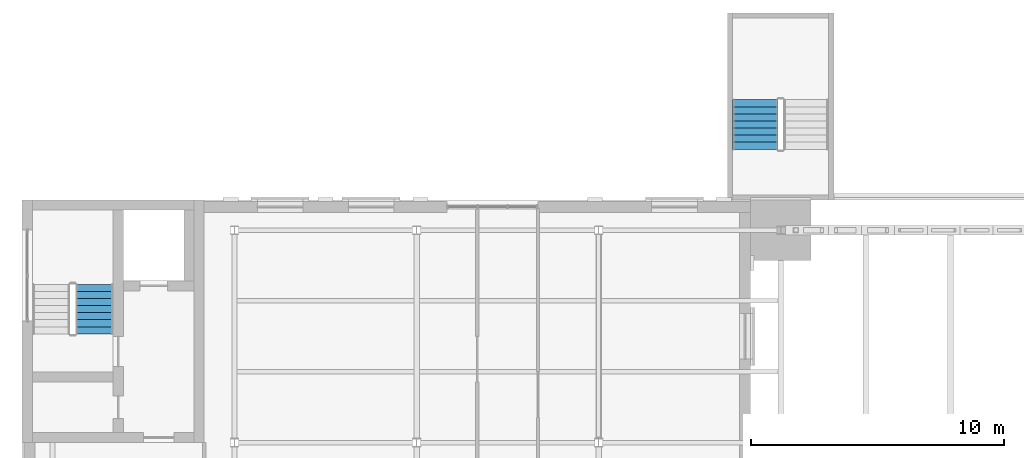
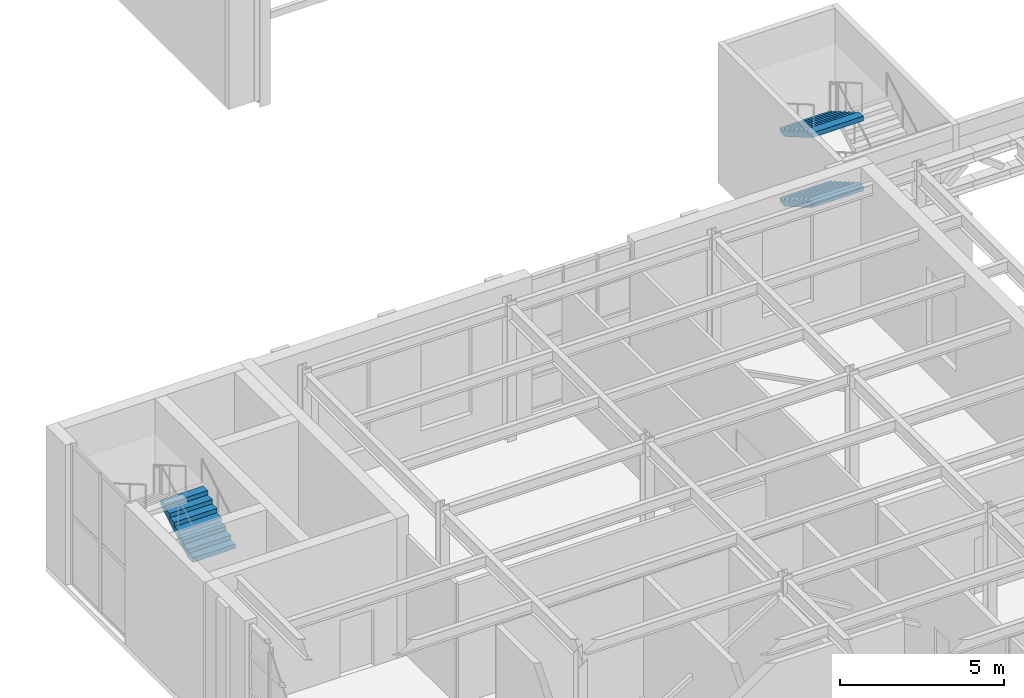
# One storey, part 71 of 93: 3 stair flights, 2 elements without a shape of their own.
"""IFC4 building model written with IfcOpenShell, lengths in metres."""

from ifc_helpers import new_model, si_unit, direction, frame, origin, place, context, subcontext, project, spatial, polygons, material, type_object, element, aggregate, save


model = new_model("IFC4")

# Units and contexts
model_context = context("Model", 3, precision=1e-05, world=origin(), true_north=direction((0.0, 1.0)))
body_context = subcontext(model_context, "Body", "Model", "MODEL_VIEW")
ifc_project = project(units=[si_unit("LENGTHUNIT", "METRE"), si_unit("AREAUNIT", "SQUARE_METRE"), si_unit("VOLUMEUNIT", "CUBIC_METRE"), si_unit("PLANEANGLEUNIT", "RADIAN"), si_unit("MASSUNIT", "GRAM", prefix="KILO")], contexts=[model_context])

# Site, building, storey
site_placement = place(None, origin())
site = spatial("IfcSite", under=ifc_project, at=site_placement, CompositionType="ELEMENT")
building_placement = place(site_placement, origin())
building = spatial("IfcBuilding", under=site, at=building_placement, Name="Verrick Yard Athletic Hall", CompositionType="ELEMENT")
storey_placement = place(building_placement, frame((0.0, 0.0, 8.800048828125)))
storey = spatial("IfcBuildingStorey", under=building, at=storey_placement, Name="L02", CompositionType="ELEMENT", Elevation=8.800048828125)

# Stair, stair flight
ifc_material = material(Name="Concrete 35 MPa", Category="concrete")
stair_type_1 = type_object("IfcStairType", Name="Stair ST2 1500 wide 32 risers", PredefinedType="HALF_TURN_STAIR", material=ifc_material)
stair_1_placement = place(storey_placement, origin())
stair_1 = element("IfcStair", 1, at=stair_1_placement, inside=storey, type_object=stair_type_1, Name="Wing north-west stair L02", PredefinedType="HALF_TURN_STAIR")
stair_flight_type_1 = type_object("IfcStairFlightType", Name="Stair flight SF2 1500 wide 8 risers", PredefinedType="STRAIGHT", material=ifc_material)
stair_flight_1_placement = place(storey_placement, frame((12.85009765625, 48.699951171875, 2.599853515625), z_axis=(0.0, 0.0, 1.0), x_axis=(0.0, 1.0, 0.0)))
stair_flight_1 = element("IfcStairFlight", 2, at=stair_flight_1_placement, type_object=stair_flight_type_1, Name="ST2 flight 3", NumberOfRisers=8, NumberOfTreads=7, PredefinedType="STRAIGHT", RiserHeight=0.1625, TreadLength=0.28, context=body_context, shape_type="Tessellation", body=[
    polygons([(0.2986404620805121, -0.75, 0.0), (1.9600000000000002, -0.75, 0.9641818746854172), (1.9600000000000002, -0.75, 1.1375), (1.6800000000000002, -0.75, 1.1375), (1.6800000000000002, -0.75, 0.9750000000000001), (1.4000000000000001, -0.75, 0.9750000000000001), (1.4000000000000001, -0.75, 0.8125), (1.12, -0.75, 0.8125), (1.12, -0.75, 0.65), (0.8400000000000001, -0.75, 0.65), (0.8400000000000001, -0.75, 0.48750000000000004), (0.56, -0.75, 0.48750000000000004), (0.56, -0.75, 0.325), (0.28, -0.75, 0.325), (0.28, -0.75, 0.1625), (0.0, -0.75, 0.1625), (0.0, -0.75, 0.0), (0.2986404620805121, -0.14990234375, 0.0), (1.9600000000000002, -0.14990234375, 0.9641818746854172), (1.9600000000000002, -0.14990234375, 1.1375), (1.6800000000000002, -0.14990234375, 1.1375), (1.6800000000000002, -0.14990234375, 0.9750000000000001), (1.4000000000000001, -0.14990234375, 0.9750000000000001), (1.4000000000000001, -0.14990234375, 0.8125), (1.12, -0.14990234375, 0.8125), (1.12, -0.14990234375, 0.65), (0.8400000000000001, -0.14990234375, 0.65), (0.8400000000000001, -0.14990234375, 0.48750000000000004), (0.56, -0.14990234375, 0.48750000000000004), (0.56, -0.14990234375, 0.325), (0.28, -0.14990234375, 0.325), (0.28, -0.14990234375, 0.1625), (0.0, -0.14990234375, 0.1625), (0.0, -0.14990234375, 0.0), (0.2986404620805121, -0.050048828125, 0.0), (1.9600000000000002, -0.050048828125, 0.9641818746854172), (1.9600000000000002, -0.050048828125, 1.1375), (1.6800000000000002, -0.050048828125, 1.1375), (1.6800000000000002, -0.050048828125, 0.9750000000000001), (1.4000000000000001, -0.050048828125, 0.9750000000000001), (1.4000000000000001, -0.050048828125, 0.8125), (1.12, -0.050048828125, 0.8125), (1.12, -0.050048828125, 0.65), (0.8400000000000001, -0.050048828125, 0.65), (0.8400000000000001, -0.050048828125, 0.48750000000000004), (0.56, -0.050048828125, 0.48750000000000004), (0.56, -0.050048828125, 0.325), (0.28, -0.050048828125, 0.325), (0.28, -0.050048828125, 0.1625), (0.0, -0.050048828125, 0.1625), (0.0, -0.050048828125, 0.0), (0.2986404620805121, 0.050048828125, 0.0), (1.9600000000000002, 0.050048828125, 0.9641818746854172), (1.9600000000000002, 0.050048828125, 1.1375), (1.6800000000000002, 0.050048828125, 1.1375), (1.6800000000000002, 0.050048828125, 0.9750000000000001), (1.4000000000000001, 0.050048828125, 0.9750000000000001), (1.4000000000000001, 0.050048828125, 0.8125), (1.12, 0.050048828125, 0.8125), (1.12, 0.050048828125, 0.65), (0.8400000000000001, 0.050048828125, 0.65), (0.8400000000000001, 0.050048828125, 0.48750000000000004), (0.56, 0.050048828125, 0.48750000000000004), (0.56, 0.050048828125, 0.325), (0.28, 0.050048828125, 0.325), (0.28, 0.050048828125, 0.1625), (0.0, 0.050048828125, 0.1625), (0.0, 0.050048828125, 0.0), (0.2986404620805121, 0.14990234375, 0.0), (1.9600000000000002, 0.14990234375, 0.9641818746854172), (1.9600000000000002, 0.14990234375, 1.1375), (1.6800000000000002, 0.14990234375, 1.1375), (1.6800000000000002, 0.14990234375, 0.9750000000000001), (1.4000000000000001, 0.14990234375, 0.9750000000000001), (1.4000000000000001, 0.14990234375, 0.8125), (1.12, 0.14990234375, 0.8125), (1.12, 0.14990234375, 0.65), (0.8400000000000001, 0.14990234375, 0.65), (0.8400000000000001, 0.14990234375, 0.48750000000000004), (0.56, 0.14990234375, 0.48750000000000004), (0.56, 0.14990234375, 0.325), (0.28, 0.14990234375, 0.325), (0.28, 0.14990234375, 0.1625), (0.0, 0.14990234375, 0.1625), (0.0, 0.14990234375, 0.0), (0.2986404620805121, 0.75, 0.0), (1.9600000000000002, 0.75, 0.9641818746854172), (1.9600000000000002, 0.75, 1.1375), (1.6800000000000002, 0.75, 1.1375), (1.6800000000000002, 0.75, 0.9750000000000001), (1.4000000000000001, 0.75, 0.9750000000000001), (1.4000000000000001, 0.75, 0.8125), (1.12, 0.75, 0.8125), (1.12, 0.75, 0.65), (0.8400000000000001, 0.75, 0.65), (0.8400000000000001, 0.75, 0.48750000000000004), (0.56, 0.75, 0.48750000000000004), (0.56, 0.75, 0.325), (0.28, 0.75, 0.325), (0.28, 0.75, 0.1625), (0.0, 0.75, 0.1625), (0.0, 0.75, 0.0)], [[[1, 2, 3, 4, 5, 6, 7, 8, 9, 10, 11, 12, 13, 14, 15, 16, 17]], [[102, 101, 100, 99, 98, 97, 96, 95, 94, 93, 92, 91, 90, 89, 88, 87, 86]], [[1, 18, 19, 2]], [[2, 19, 20, 3]], [[3, 20, 21, 4]], [[4, 21, 22, 5]], [[5, 22, 23, 6]], [[6, 23, 24, 7]], [[7, 24, 25, 8]], [[8, 25, 26, 9]], [[9, 26, 27, 10]], [[10, 27, 28, 11]], [[11, 28, 29, 12]], [[12, 29, 30, 13]], [[13, 30, 31, 14]], [[14, 31, 32, 15]], [[15, 32, 33, 16]], [[16, 33, 34, 17]], [[17, 34, 18, 1]], [[18, 35, 36, 19]], [[19, 36, 37, 20]], [[20, 37, 38, 21]], [[21, 38, 39, 22]], [[22, 39, 40, 23]], [[23, 40, 41, 24]], [[24, 41, 42, 25]], [[25, 42, 43, 26]], [[26, 43, 44, 27]], [[27, 44, 45, 28]], [[28, 45, 46, 29]], [[29, 46, 47, 30]], [[30, 47, 48, 31]], [[31, 48, 49, 32]], [[32, 49, 50, 33]], [[33, 50, 51, 34]], [[34, 51, 35, 18]], [[35, 52, 53, 36]], [[36, 53, 54, 37]], [[37, 54, 55, 38]], [[38, 55, 56, 39]], [[39, 56, 57, 40]], [[40, 57, 58, 41]], [[41, 58, 59, 42]], [[42, 59, 60, 43]], [[43, 60, 61, 44]], [[44, 61, 62, 45]], [[45, 62, 63, 46]], [[46, 63, 64, 47]], [[47, 64, 65, 48]], [[48, 65, 66, 49]], [[49, 66, 67, 50]], [[50, 67, 68, 51]], [[51, 68, 52, 35]], [[52, 69, 70, 53]], [[53, 70, 71, 54]], [[54, 71, 72, 55]], [[55, 72, 73, 56]], [[56, 73, 74, 57]], [[57, 74, 75, 58]], [[58, 75, 76, 59]], [[59, 76, 77, 60]], [[60, 77, 78, 61]], [[61, 78, 79, 62]], [[62, 79, 80, 63]], [[63, 80, 81, 64]], [[64, 81, 82, 65]], [[65, 82, 83, 66]], [[66, 83, 84, 67]], [[67, 84, 85, 68]], [[68, 85, 69, 52]], [[69, 86, 87, 70]], [[70, 87, 88, 71]], [[71, 88, 89, 72]], [[72, 89, 90, 73]], [[73, 90, 91, 74]], [[74, 91, 92, 75]], [[75, 92, 93, 76]], [[76, 93, 94, 77]], [[77, 94, 95, 78]], [[78, 95, 96, 79]], [[79, 96, 97, 80]], [[80, 97, 98, 81]], [[81, 98, 99, 82]], [[82, 99, 100, 83]], [[83, 100, 101, 84]], [[84, 101, 102, 85]], [[85, 102, 86, 69]]], closed=True),
])
aggregate(stair_1, [stair_flight_1])

# Stair, stair flights
stair_type_2 = type_object("IfcStairType", Name="Stair ST4 1800 wide 32 risers", PredefinedType="HALF_TURN_STAIR", material=ifc_material)
stair_2_placement = place(storey_placement, origin())
stair_2 = element("IfcStair", 3, at=stair_2_placement, inside=storey, type_object=stair_type_2, Name="North deck escape 1 stair L02", PredefinedType="HALF_TURN_STAIR")
stair_flight_type_2 = type_object("IfcStairFlightType", Name="Stair flight SF4 1800 wide 8 risers", PredefinedType="STRAIGHT", material=ifc_material)
stair_flight_2_placement = place(storey_placement, frame((39.0, 57.9599609375, 1.300048828125), z_axis=(0.0, 0.0, 1.0), x_axis=(0.0, -1.0, 0.0)))
stair_flight_2 = element("IfcStairFlight", 4, at=stair_flight_2_placement, type_object=stair_flight_type_2, Name="ST4 flight 2", NumberOfRisers=8, NumberOfTreads=7, PredefinedType="STRAIGHT", RiserHeight=0.1625, TreadLength=0.28, context=body_context, shape_type="Tessellation", body=[
    polygons([(0.2986404620805121, -0.89990234375, 0.0), (1.9600000000000002, -0.89990234375, 0.9641818746854172), (1.9600000000000002, -0.89990234375, 1.1375), (1.6800000000000002, -0.89990234375, 1.1375), (1.6800000000000002, -0.89990234375, 0.9750000000000001), (1.4000000000000001, -0.89990234375, 0.9750000000000001), (1.4000000000000001, -0.89990234375, 0.8125), (1.12, -0.89990234375, 0.8125), (1.12, -0.89990234375, 0.65), (0.8400000000000001, -0.89990234375, 0.65), (0.8400000000000001, -0.89990234375, 0.48750000000000004), (0.56, -0.89990234375, 0.48750000000000004), (0.56, -0.89990234375, 0.325), (0.28, -0.89990234375, 0.325), (0.28, -0.89990234375, 0.1625), (0.0, -0.89990234375, 0.1625), (0.0, -0.89990234375, 0.0), (0.2986404620805121, -0.179931640625, 0.0), (1.9600000000000002, -0.179931640625, 0.9641818746854172), (1.9600000000000002, -0.179931640625, 1.1375), (1.6800000000000002, -0.179931640625, 1.1375), (1.6800000000000002, -0.179931640625, 0.9750000000000001), (1.4000000000000001, -0.179931640625, 0.9750000000000001), (1.4000000000000001, -0.179931640625, 0.8125), (1.12, -0.179931640625, 0.8125), (1.12, -0.179931640625, 0.65), (0.8400000000000001, -0.179931640625, 0.65), (0.8400000000000001, -0.179931640625, 0.48750000000000004), (0.56, -0.179931640625, 0.48750000000000004), (0.56, -0.179931640625, 0.325), (0.28, -0.179931640625, 0.325), (0.28, -0.179931640625, 0.1625), (0.0, -0.179931640625, 0.1625), (0.0, -0.179931640625, 0.0), (0.2986404620805121, -0.1201171875, 0.0), (1.9600000000000002, -0.1201171875, 0.9641818746854172), (1.9600000000000002, -0.1201171875, 1.1375), (1.6800000000000002, -0.1201171875, 1.1375), (1.6800000000000002, -0.1201171875, 0.9750000000000001), (1.4000000000000001, -0.1201171875, 0.9750000000000001), (1.4000000000000001, -0.1201171875, 0.8125), (1.12, -0.1201171875, 0.8125), (1.12, -0.1201171875, 0.65), (0.8400000000000001, -0.1201171875, 0.65), (0.8400000000000001, -0.1201171875, 0.48750000000000004), (0.56, -0.1201171875, 0.48750000000000004), (0.56, -0.1201171875, 0.325), (0.28, -0.1201171875, 0.325), (0.28, -0.1201171875, 0.1625), (0.0, -0.1201171875, 0.1625), (0.0, -0.1201171875, 0.0), (0.2986404620805121, -0.06005859375, 0.0), (1.9600000000000002, -0.06005859375, 0.9641818746854172), (1.9600000000000002, -0.06005859375, 1.1375), (1.6800000000000002, -0.06005859375, 1.1375), (1.6800000000000002, -0.06005859375, 0.9750000000000001), (1.4000000000000001, -0.06005859375, 0.9750000000000001), (1.4000000000000001, -0.06005859375, 0.8125), (1.12, -0.06005859375, 0.8125), (1.12, -0.06005859375, 0.65), (0.8400000000000001, -0.06005859375, 0.65), (0.8400000000000001, -0.06005859375, 0.48750000000000004), (0.56, -0.06005859375, 0.48750000000000004), (0.56, -0.06005859375, 0.325), (0.28, -0.06005859375, 0.325), (0.28, -0.06005859375, 0.1625), (0.0, -0.06005859375, 0.1625), (0.0, -0.06005859375, 0.0), (0.2986404620805121, 0.0, 0.0), (1.9600000000000002, 0.0, 0.9641818746854172), (1.9600000000000002, 0.0, 1.1375), (1.6800000000000002, 0.0, 1.1375), (1.6800000000000002, 0.0, 0.9750000000000001), (1.4000000000000001, 0.0, 0.9750000000000001), (1.4000000000000001, 0.0, 0.8125), (1.12, 0.0, 0.8125), (1.12, 0.0, 0.65), (0.8400000000000001, 0.0, 0.65), (0.8400000000000001, 0.0, 0.48750000000000004), (0.56, 0.0, 0.48750000000000004), (0.56, 0.0, 0.325), (0.28, 0.0, 0.325), (0.28, 0.0, 0.1625), (0.0, 0.0, 0.1625), (0.0, 0.0, 0.0), (0.2986404620805121, 0.06005859375, 0.0), (1.9600000000000002, 0.06005859375, 0.9641818746854172), (1.9600000000000002, 0.06005859375, 1.1375), (1.6800000000000002, 0.06005859375, 1.1375), (1.6800000000000002, 0.06005859375, 0.9750000000000001), (1.4000000000000001, 0.06005859375, 0.9750000000000001), (1.4000000000000001, 0.06005859375, 0.8125), (1.12, 0.06005859375, 0.8125), (1.12, 0.06005859375, 0.65), (0.8400000000000001, 0.06005859375, 0.65), (0.8400000000000001, 0.06005859375, 0.48750000000000004), (0.56, 0.06005859375, 0.48750000000000004), (0.56, 0.06005859375, 0.325), (0.28, 0.06005859375, 0.325), (0.28, 0.06005859375, 0.1625), (0.0, 0.06005859375, 0.1625), (0.0, 0.06005859375, 0.0), (0.2986404620805121, 0.1201171875, 0.0), (1.9600000000000002, 0.1201171875, 0.9641818746854172), (1.9600000000000002, 0.1201171875, 1.1375), (1.6800000000000002, 0.1201171875, 1.1375), (1.6800000000000002, 0.1201171875, 0.9750000000000001), (1.4000000000000001, 0.1201171875, 0.9750000000000001), (1.4000000000000001, 0.1201171875, 0.8125), (1.12, 0.1201171875, 0.8125), (1.12, 0.1201171875, 0.65), (0.8400000000000001, 0.1201171875, 0.65), (0.8400000000000001, 0.1201171875, 0.48750000000000004), (0.56, 0.1201171875, 0.48750000000000004), (0.56, 0.1201171875, 0.325), (0.28, 0.1201171875, 0.325), (0.28, 0.1201171875, 0.1625), (0.0, 0.1201171875, 0.1625), (0.0, 0.1201171875, 0.0), (0.2986404620805121, 0.179931640625, 0.0), (1.9600000000000002, 0.179931640625, 0.9641818746854172), (1.9600000000000002, 0.179931640625, 1.1375), (1.6800000000000002, 0.179931640625, 1.1375), (1.6800000000000002, 0.179931640625, 0.9750000000000001), (1.4000000000000001, 0.179931640625, 0.9750000000000001), (1.4000000000000001, 0.179931640625, 0.8125), (1.12, 0.179931640625, 0.8125), (1.12, 0.179931640625, 0.65), (0.8400000000000001, 0.179931640625, 0.65), (0.8400000000000001, 0.179931640625, 0.48750000000000004), (0.56, 0.179931640625, 0.48750000000000004), (0.56, 0.179931640625, 0.325), (0.28, 0.179931640625, 0.325), (0.28, 0.179931640625, 0.1625), (0.0, 0.179931640625, 0.1625), (0.0, 0.179931640625, 0.0), (0.2986404620805121, 0.89990234375, 0.0), (1.9600000000000002, 0.89990234375, 0.9641818746854172), (1.9600000000000002, 0.89990234375, 1.1375), (1.6800000000000002, 0.89990234375, 1.1375), (1.6800000000000002, 0.89990234375, 0.9750000000000001), (1.4000000000000001, 0.89990234375, 0.9750000000000001), (1.4000000000000001, 0.89990234375, 0.8125), (1.12, 0.89990234375, 0.8125), (1.12, 0.89990234375, 0.65), (0.8400000000000001, 0.89990234375, 0.65), (0.8400000000000001, 0.89990234375, 0.48750000000000004), (0.56, 0.89990234375, 0.48750000000000004), (0.56, 0.89990234375, 0.325), (0.28, 0.89990234375, 0.325), (0.28, 0.89990234375, 0.1625), (0.0, 0.89990234375, 0.1625), (0.0, 0.89990234375, 0.0)], [[[1, 2, 3, 4, 5, 6, 7, 8, 9, 10, 11, 12, 13, 14, 15, 16, 17]], [[153, 152, 151, 150, 149, 148, 147, 146, 145, 144, 143, 142, 141, 140, 139, 138, 137]], [[1, 18, 19, 2]], [[2, 19, 20, 3]], [[3, 20, 21, 4]], [[4, 21, 22, 5]], [[5, 22, 23, 6]], [[6, 23, 24, 7]], [[7, 24, 25, 8]], [[8, 25, 26, 9]], [[9, 26, 27, 10]], [[10, 27, 28, 11]], [[11, 28, 29, 12]], [[12, 29, 30, 13]], [[13, 30, 31, 14]], [[14, 31, 32, 15]], [[15, 32, 33, 16]], [[16, 33, 34, 17]], [[17, 34, 18, 1]], [[18, 35, 36, 19]], [[19, 36, 37, 20]], [[20, 37, 38, 21]], [[21, 38, 39, 22]], [[22, 39, 40, 23]], [[23, 40, 41, 24]], [[24, 41, 42, 25]], [[25, 42, 43, 26]], [[26, 43, 44, 27]], [[27, 44, 45, 28]], [[28, 45, 46, 29]], [[29, 46, 47, 30]], [[30, 47, 48, 31]], [[31, 48, 49, 32]], [[32, 49, 50, 33]], [[33, 50, 51, 34]], [[34, 51, 35, 18]], [[35, 52, 53, 36]], [[36, 53, 54, 37]], [[37, 54, 55, 38]], [[38, 55, 56, 39]], [[39, 56, 57, 40]], [[40, 57, 58, 41]], [[41, 58, 59, 42]], [[42, 59, 60, 43]], [[43, 60, 61, 44]], [[44, 61, 62, 45]], [[45, 62, 63, 46]], [[46, 63, 64, 47]], [[47, 64, 65, 48]], [[48, 65, 66, 49]], [[49, 66, 67, 50]], [[50, 67, 68, 51]], [[51, 68, 52, 35]], [[52, 69, 70, 53]], [[53, 70, 71, 54]], [[54, 71, 72, 55]], [[55, 72, 73, 56]], [[56, 73, 74, 57]], [[57, 74, 75, 58]], [[58, 75, 76, 59]], [[59, 76, 77, 60]], [[60, 77, 78, 61]], [[61, 78, 79, 62]], [[62, 79, 80, 63]], [[63, 80, 81, 64]], [[64, 81, 82, 65]], [[65, 82, 83, 66]], [[66, 83, 84, 67]], [[67, 84, 85, 68]], [[68, 85, 69, 52]], [[69, 86, 87, 70]], [[70, 87, 88, 71]], [[71, 88, 89, 72]], [[72, 89, 90, 73]], [[73, 90, 91, 74]], [[74, 91, 92, 75]], [[75, 92, 93, 76]], [[76, 93, 94, 77]], [[77, 94, 95, 78]], [[78, 95, 96, 79]], [[79, 96, 97, 80]], [[80, 97, 98, 81]], [[81, 98, 99, 82]], [[82, 99, 100, 83]], [[83, 100, 101, 84]], [[84, 101, 102, 85]], [[85, 102, 86, 69]], [[86, 103, 104, 87]], [[87, 104, 105, 88]], [[88, 105, 106, 89]], [[89, 106, 107, 90]], [[90, 107, 108, 91]], [[91, 108, 109, 92]], [[92, 109, 110, 93]], [[93, 110, 111, 94]], [[94, 111, 112, 95]], [[95, 112, 113, 96]], [[96, 113, 114, 97]], [[97, 114, 115, 98]], [[98, 115, 116, 99]], [[99, 116, 117, 100]], [[100, 117, 118, 101]], [[101, 118, 119, 102]], [[102, 119, 103, 86]], [[103, 120, 121, 104]], [[104, 121, 122, 105]], [[105, 122, 123, 106]], [[106, 123, 124, 107]], [[107, 124, 125, 108]], [[108, 125, 126, 109]], [[109, 126, 127, 110]], [[110, 127, 128, 111]], [[111, 128, 129, 112]], [[112, 129, 130, 113]], [[113, 130, 131, 114]], [[114, 131, 132, 115]], [[115, 132, 133, 116]], [[116, 133, 134, 117]], [[117, 134, 135, 118]], [[118, 135, 136, 119]], [[119, 136, 120, 103]], [[120, 137, 138, 121]], [[121, 138, 139, 122]], [[122, 139, 140, 123]], [[123, 140, 141, 124]], [[124, 141, 142, 125]], [[125, 142, 143, 126]], [[126, 143, 144, 127]], [[127, 144, 145, 128]], [[128, 145, 146, 129]], [[129, 146, 147, 130]], [[130, 147, 148, 131]], [[131, 148, 149, 132]], [[132, 149, 150, 133]], [[133, 150, 151, 134]], [[134, 151, 152, 135]], [[135, 152, 153, 136]], [[136, 153, 137, 120]]], closed=True),
])
stair_flight_3_placement = place(storey_placement, frame((39.0, 57.9599609375, 3.89990234375), z_axis=(0.0, 0.0, 1.0), x_axis=(0.0, -1.0, 0.0)))
stair_flight_3 = element("IfcStairFlight", 5, at=stair_flight_3_placement, type_object=stair_flight_type_2, Name="ST4 flight 4", NumberOfRisers=8, NumberOfTreads=7, PredefinedType="STRAIGHT", RiserHeight=0.1625, TreadLength=0.28, context=body_context, shape_type="Tessellation", body=[
    polygons([(0.2986404620805121, -0.89990234375, 0.0), (1.9600000000000002, -0.89990234375, 0.9641818746854172), (1.9600000000000002, -0.89990234375, 1.1375), (1.6800000000000002, -0.89990234375, 1.1375), (1.6800000000000002, -0.89990234375, 0.9750000000000001), (1.4000000000000001, -0.89990234375, 0.9750000000000001), (1.4000000000000001, -0.89990234375, 0.8125), (1.12, -0.89990234375, 0.8125), (1.12, -0.89990234375, 0.65), (0.8400000000000001, -0.89990234375, 0.65), (0.8400000000000001, -0.89990234375, 0.48750000000000004), (0.56, -0.89990234375, 0.48750000000000004), (0.56, -0.89990234375, 0.325), (0.28, -0.89990234375, 0.325), (0.28, -0.89990234375, 0.1625), (0.0, -0.89990234375, 0.1625), (0.0, -0.89990234375, 0.0), (0.2986404620805121, -0.179931640625, 0.0), (1.9600000000000002, -0.179931640625, 0.9641818746854172), (1.9600000000000002, -0.179931640625, 1.1375), (1.6800000000000002, -0.179931640625, 1.1375), (1.6800000000000002, -0.179931640625, 0.9750000000000001), (1.4000000000000001, -0.179931640625, 0.9750000000000001), (1.4000000000000001, -0.179931640625, 0.8125), (1.12, -0.179931640625, 0.8125), (1.12, -0.179931640625, 0.65), (0.8400000000000001, -0.179931640625, 0.65), (0.8400000000000001, -0.179931640625, 0.48750000000000004), (0.56, -0.179931640625, 0.48750000000000004), (0.56, -0.179931640625, 0.325), (0.28, -0.179931640625, 0.325), (0.28, -0.179931640625, 0.1625), (0.0, -0.179931640625, 0.1625), (0.0, -0.179931640625, 0.0), (0.2986404620805121, -0.1201171875, 0.0), (1.9600000000000002, -0.1201171875, 0.9641818746854172), (1.9600000000000002, -0.1201171875, 1.1375), (1.6800000000000002, -0.1201171875, 1.1375), (1.6800000000000002, -0.1201171875, 0.9750000000000001), (1.4000000000000001, -0.1201171875, 0.9750000000000001), (1.4000000000000001, -0.1201171875, 0.8125), (1.12, -0.1201171875, 0.8125), (1.12, -0.1201171875, 0.65), (0.8400000000000001, -0.1201171875, 0.65), (0.8400000000000001, -0.1201171875, 0.48750000000000004), (0.56, -0.1201171875, 0.48750000000000004), (0.56, -0.1201171875, 0.325), (0.28, -0.1201171875, 0.325), (0.28, -0.1201171875, 0.1625), (0.0, -0.1201171875, 0.1625), (0.0, -0.1201171875, 0.0), (0.2986404620805121, -0.06005859375, 0.0), (1.9600000000000002, -0.06005859375, 0.9641818746854172), (1.9600000000000002, -0.06005859375, 1.1375), (1.6800000000000002, -0.06005859375, 1.1375), (1.6800000000000002, -0.06005859375, 0.9750000000000001), (1.4000000000000001, -0.06005859375, 0.9750000000000001), (1.4000000000000001, -0.06005859375, 0.8125), (1.12, -0.06005859375, 0.8125), (1.12, -0.06005859375, 0.65), (0.8400000000000001, -0.06005859375, 0.65), (0.8400000000000001, -0.06005859375, 0.48750000000000004), (0.56, -0.06005859375, 0.48750000000000004), (0.56, -0.06005859375, 0.325), (0.28, -0.06005859375, 0.325), (0.28, -0.06005859375, 0.1625), (0.0, -0.06005859375, 0.1625), (0.0, -0.06005859375, 0.0), (0.2986404620805121, 0.0, 0.0), (1.9600000000000002, 0.0, 0.9641818746854172), (1.9600000000000002, 0.0, 1.1375), (1.6800000000000002, 0.0, 1.1375), (1.6800000000000002, 0.0, 0.9750000000000001), (1.4000000000000001, 0.0, 0.9750000000000001), (1.4000000000000001, 0.0, 0.8125), (1.12, 0.0, 0.8125), (1.12, 0.0, 0.65), (0.8400000000000001, 0.0, 0.65), (0.8400000000000001, 0.0, 0.48750000000000004), (0.56, 0.0, 0.48750000000000004), (0.56, 0.0, 0.325), (0.28, 0.0, 0.325), (0.28, 0.0, 0.1625), (0.0, 0.0, 0.1625), (0.0, 0.0, 0.0), (0.2986404620805121, 0.06005859375, 0.0), (1.9600000000000002, 0.06005859375, 0.9641818746854172), (1.9600000000000002, 0.06005859375, 1.1375), (1.6800000000000002, 0.06005859375, 1.1375), (1.6800000000000002, 0.06005859375, 0.9750000000000001), (1.4000000000000001, 0.06005859375, 0.9750000000000001), (1.4000000000000001, 0.06005859375, 0.8125), (1.12, 0.06005859375, 0.8125), (1.12, 0.06005859375, 0.65), (0.8400000000000001, 0.06005859375, 0.65), (0.8400000000000001, 0.06005859375, 0.48750000000000004), (0.56, 0.06005859375, 0.48750000000000004), (0.56, 0.06005859375, 0.325), (0.28, 0.06005859375, 0.325), (0.28, 0.06005859375, 0.1625), (0.0, 0.06005859375, 0.1625), (0.0, 0.06005859375, 0.0), (0.2986404620805121, 0.1201171875, 0.0), (1.9600000000000002, 0.1201171875, 0.9641818746854172), (1.9600000000000002, 0.1201171875, 1.1375), (1.6800000000000002, 0.1201171875, 1.1375), (1.6800000000000002, 0.1201171875, 0.9750000000000001), (1.4000000000000001, 0.1201171875, 0.9750000000000001), (1.4000000000000001, 0.1201171875, 0.8125), (1.12, 0.1201171875, 0.8125), (1.12, 0.1201171875, 0.65), (0.8400000000000001, 0.1201171875, 0.65), (0.8400000000000001, 0.1201171875, 0.48750000000000004), (0.56, 0.1201171875, 0.48750000000000004), (0.56, 0.1201171875, 0.325), (0.28, 0.1201171875, 0.325), (0.28, 0.1201171875, 0.1625), (0.0, 0.1201171875, 0.1625), (0.0, 0.1201171875, 0.0), (0.2986404620805121, 0.179931640625, 0.0), (1.9600000000000002, 0.179931640625, 0.9641818746854172), (1.9600000000000002, 0.179931640625, 1.1375), (1.6800000000000002, 0.179931640625, 1.1375), (1.6800000000000002, 0.179931640625, 0.9750000000000001), (1.4000000000000001, 0.179931640625, 0.9750000000000001), (1.4000000000000001, 0.179931640625, 0.8125), (1.12, 0.179931640625, 0.8125), (1.12, 0.179931640625, 0.65), (0.8400000000000001, 0.179931640625, 0.65), (0.8400000000000001, 0.179931640625, 0.48750000000000004), (0.56, 0.179931640625, 0.48750000000000004), (0.56, 0.179931640625, 0.325), (0.28, 0.179931640625, 0.325), (0.28, 0.179931640625, 0.1625), (0.0, 0.179931640625, 0.1625), (0.0, 0.179931640625, 0.0), (0.2986404620805121, 0.89990234375, 0.0), (1.9600000000000002, 0.89990234375, 0.9641818746854172), (1.9600000000000002, 0.89990234375, 1.1375), (1.6800000000000002, 0.89990234375, 1.1375), (1.6800000000000002, 0.89990234375, 0.9750000000000001), (1.4000000000000001, 0.89990234375, 0.9750000000000001), (1.4000000000000001, 0.89990234375, 0.8125), (1.12, 0.89990234375, 0.8125), (1.12, 0.89990234375, 0.65), (0.8400000000000001, 0.89990234375, 0.65), (0.8400000000000001, 0.89990234375, 0.48750000000000004), (0.56, 0.89990234375, 0.48750000000000004), (0.56, 0.89990234375, 0.325), (0.28, 0.89990234375, 0.325), (0.28, 0.89990234375, 0.1625), (0.0, 0.89990234375, 0.1625), (0.0, 0.89990234375, 0.0)], [[[1, 2, 3, 4, 5, 6, 7, 8, 9, 10, 11, 12, 13, 14, 15, 16, 17]], [[153, 152, 151, 150, 149, 148, 147, 146, 145, 144, 143, 142, 141, 140, 139, 138, 137]], [[1, 18, 19, 2]], [[2, 19, 20, 3]], [[3, 20, 21, 4]], [[4, 21, 22, 5]], [[5, 22, 23, 6]], [[6, 23, 24, 7]], [[7, 24, 25, 8]], [[8, 25, 26, 9]], [[9, 26, 27, 10]], [[10, 27, 28, 11]], [[11, 28, 29, 12]], [[12, 29, 30, 13]], [[13, 30, 31, 14]], [[14, 31, 32, 15]], [[15, 32, 33, 16]], [[16, 33, 34, 17]], [[17, 34, 18, 1]], [[18, 35, 36, 19]], [[19, 36, 37, 20]], [[20, 37, 38, 21]], [[21, 38, 39, 22]], [[22, 39, 40, 23]], [[23, 40, 41, 24]], [[24, 41, 42, 25]], [[25, 42, 43, 26]], [[26, 43, 44, 27]], [[27, 44, 45, 28]], [[28, 45, 46, 29]], [[29, 46, 47, 30]], [[30, 47, 48, 31]], [[31, 48, 49, 32]], [[32, 49, 50, 33]], [[33, 50, 51, 34]], [[34, 51, 35, 18]], [[35, 52, 53, 36]], [[36, 53, 54, 37]], [[37, 54, 55, 38]], [[38, 55, 56, 39]], [[39, 56, 57, 40]], [[40, 57, 58, 41]], [[41, 58, 59, 42]], [[42, 59, 60, 43]], [[43, 60, 61, 44]], [[44, 61, 62, 45]], [[45, 62, 63, 46]], [[46, 63, 64, 47]], [[47, 64, 65, 48]], [[48, 65, 66, 49]], [[49, 66, 67, 50]], [[50, 67, 68, 51]], [[51, 68, 52, 35]], [[52, 69, 70, 53]], [[53, 70, 71, 54]], [[54, 71, 72, 55]], [[55, 72, 73, 56]], [[56, 73, 74, 57]], [[57, 74, 75, 58]], [[58, 75, 76, 59]], [[59, 76, 77, 60]], [[60, 77, 78, 61]], [[61, 78, 79, 62]], [[62, 79, 80, 63]], [[63, 80, 81, 64]], [[64, 81, 82, 65]], [[65, 82, 83, 66]], [[66, 83, 84, 67]], [[67, 84, 85, 68]], [[68, 85, 69, 52]], [[69, 86, 87, 70]], [[70, 87, 88, 71]], [[71, 88, 89, 72]], [[72, 89, 90, 73]], [[73, 90, 91, 74]], [[74, 91, 92, 75]], [[75, 92, 93, 76]], [[76, 93, 94, 77]], [[77, 94, 95, 78]], [[78, 95, 96, 79]], [[79, 96, 97, 80]], [[80, 97, 98, 81]], [[81, 98, 99, 82]], [[82, 99, 100, 83]], [[83, 100, 101, 84]], [[84, 101, 102, 85]], [[85, 102, 86, 69]], [[86, 103, 104, 87]], [[87, 104, 105, 88]], [[88, 105, 106, 89]], [[89, 106, 107, 90]], [[90, 107, 108, 91]], [[91, 108, 109, 92]], [[92, 109, 110, 93]], [[93, 110, 111, 94]], [[94, 111, 112, 95]], [[95, 112, 113, 96]], [[96, 113, 114, 97]], [[97, 114, 115, 98]], [[98, 115, 116, 99]], [[99, 116, 117, 100]], [[100, 117, 118, 101]], [[101, 118, 119, 102]], [[102, 119, 103, 86]], [[103, 120, 121, 104]], [[104, 121, 122, 105]], [[105, 122, 123, 106]], [[106, 123, 124, 107]], [[107, 124, 125, 108]], [[108, 125, 126, 109]], [[109, 126, 127, 110]], [[110, 127, 128, 111]], [[111, 128, 129, 112]], [[112, 129, 130, 113]], [[113, 130, 131, 114]], [[114, 131, 132, 115]], [[115, 132, 133, 116]], [[116, 133, 134, 117]], [[117, 134, 135, 118]], [[118, 135, 136, 119]], [[119, 136, 120, 103]], [[120, 137, 138, 121]], [[121, 138, 139, 122]], [[122, 139, 140, 123]], [[123, 140, 141, 124]], [[124, 141, 142, 125]], [[125, 142, 143, 126]], [[126, 143, 144, 127]], [[127, 144, 145, 128]], [[128, 145, 146, 129]], [[129, 146, 147, 130]], [[130, 147, 148, 131]], [[131, 148, 149, 132]], [[132, 149, 150, 133]], [[133, 150, 151, 134]], [[134, 151, 152, 135]], [[135, 152, 153, 136]], [[136, 153, 137, 120]]], closed=True),
])
aggregate(stair_2, [stair_flight_2, stair_flight_3])

save(model, "model.ifc")
